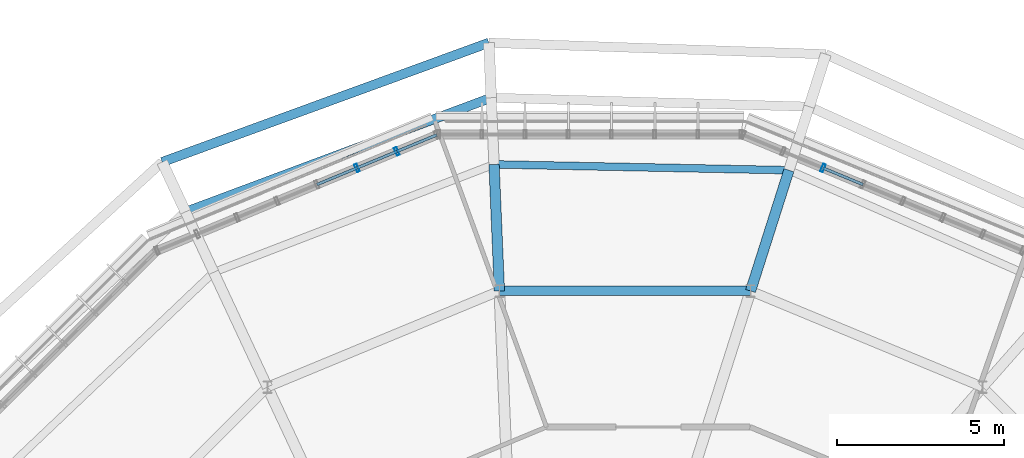
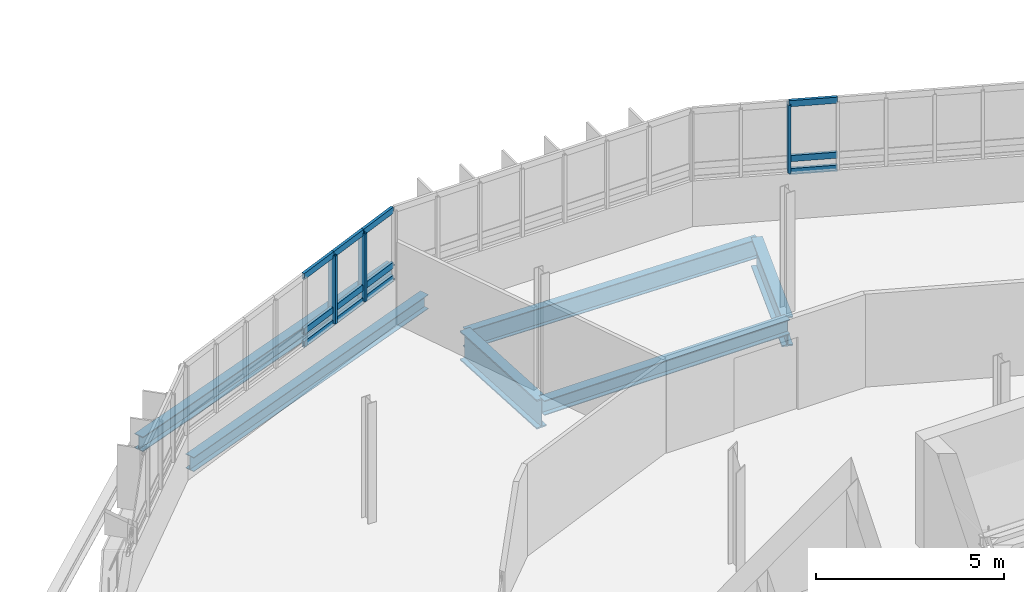
# One storey, part 18 of 38: 15 members, 6 beams, 2 elements without a shape of their own.
"""IFC4 building model written with IfcOpenShell, lengths in metres."""

import ifcopenshell
import ifcopenshell.guid

model = None  # the IFC model being written
_history = None  # IfcOwnerHistory: only IFC2X3 demands one
_inside = {}  # id of a spatial element -> (the spatial element, [elements in it])
_under = {}  # id of a project, library or spatial element -> (it, [spatial elements below it])
_declared = {}  # id of a project -> (the project, [libraries it declares])
_typed = {}  # id of a type object -> (the type object, [elements of that type])
_made_of = {}  # id of a material, layer set ... -> (it, [elements and type objects made of it])


def new_model(schema):
    """Start an empty IFC model of exactly this schema.

    Asked for "IFC4X3", IfcOpenShell would pick the latest addendum, in which some entities
    have other attributes; the version numbers below select the first issue.
    IFC2X3 requires an IfcOwnerHistory on every rooted entity: one is made here for all.
    """
    global model, _history
    if schema == "IFC4X3":
        model = ifcopenshell.file(schema_version=(4, 3, 0, 0))
    else:
        model = ifcopenshell.file(schema=schema)
    _inside.clear()
    _under.clear()
    _declared.clear()
    _typed.clear()
    _made_of.clear()
    _history = None
    if model.schema == "IFC2X3":
        org = make("IfcOrganization", Name="unknown")
        user = make(
            "IfcPersonAndOrganization",
            ThePerson=make("IfcPerson", FamilyName="unknown"),
            TheOrganization=org,
        )
        app = make(
            "IfcApplication",
            ApplicationDeveloper=org,
            Version="unknown",
            ApplicationFullName="unknown",
            ApplicationIdentifier="unknown",
        )
        _history = make(
            "IfcOwnerHistory",
            OwningUser=user,
            OwningApplication=app,
            ChangeAction="ADDED",
            CreationDate=0,
        )
    return model


def make(cls, **values):
    """One entity of the class cls with the attributes given. An attribute that is None is left unset."""
    return model.create_entity(
        cls, **{name: value for name, value in values.items() if value is not None}
    )


def rooted(cls, **values):
    """An entity with a GlobalId (a new one), such as an element, a storey or a relation."""
    return make(cls, GlobalId=ifcopenshell.guid.new(), OwnerHistory=_history, **values)


def si_unit(unit_type, name, prefix=None):
    """IfcSIUnit, for example si_unit("LENGTHUNIT", "METRE", prefix="MILLI")."""
    return make("IfcSIUnit", UnitType=unit_type, Prefix=prefix, Name=name)


def derived_unit(unit_type, elements):
    """IfcDerivedUnit: a product of units, each with its exponent."""
    return make(
        "IfcDerivedUnit",
        Elements=[
            make("IfcDerivedUnitElement", Unit=unit, Exponent=power)
            for unit, power in elements
        ],
        UnitType=unit_type,
    )


def assignment(units):
    """IfcUnitAssignment: the units of a project."""
    return None if units is None else make("IfcUnitAssignment", Units=units)


def point(xyz):
    """IfcCartesianPoint."""
    return None if xyz is None else make("IfcCartesianPoint", Coordinates=xyz)


def direction(xyz):
    """IfcDirection."""
    return None if xyz is None else make("IfcDirection", DirectionRatios=xyz)


def frame(location, z_axis=None, x_axis=None):
    """IfcAxis2Placement3D, a coordinate frame: its origin and axes. An axis left out is left unset."""
    return make(
        "IfcAxis2Placement3D",
        Location=point(location),
        Axis=direction(z_axis),
        RefDirection=direction(x_axis),
    )


def frame_2d(location, x_axis=None):
    """IfcAxis2Placement2D, a coordinate frame in the plane: its origin and x axis."""
    return make(
        "IfcAxis2Placement2D", Location=point(location), RefDirection=direction(x_axis)
    )


def origin():
    """The frame at (0, 0, 0) with its axes left unset."""
    return frame((0.0, 0.0, 0.0))


def origin_2d():
    """The frame at (0, 0) in the plane with its x axis left unset."""
    return frame_2d((0.0, 0.0))


def place(relative_to, where):
    """IfcLocalPlacement: puts the frame where relative to a parent placement (None: the world)."""
    return make(
        "IfcLocalPlacement", PlacementRelTo=relative_to, RelativePlacement=where
    )


def context(
    kind, dimensions, precision=None, world=None, true_north=None, identifier=None
):
    """IfcGeometricRepresentationContext, for example the 3D "Model" context."""
    return make(
        "IfcGeometricRepresentationContext",
        ContextIdentifier=identifier,
        ContextType=kind,
        CoordinateSpaceDimension=dimensions,
        Precision=precision,
        WorldCoordinateSystem=world,
        TrueNorth=true_north,
    )


def subcontext(parent, identifier, kind, view, scale=None):
    """IfcGeometricRepresentationSubContext, for example "Body" below "Model"."""
    return make(
        "IfcGeometricRepresentationSubContext",
        ContextIdentifier=identifier,
        ContextType=kind,
        ParentContext=parent,
        TargetScale=scale,
        TargetView=view,
    )


def project(units=None, contexts=None):
    """IfcProject with its units and contexts."""
    return rooted(
        "IfcProject",
        Name="project",
        RepresentationContexts=contexts,
        UnitsInContext=assignment(units),
    )


def spatial(cls, under=None, at=None, **own):
    """A site, building, storey or space (cls), placed at a placement, below another one or the project."""
    s = rooted(cls, ObjectPlacement=at, **own)
    if under is not None:
        _under.setdefault(under.id(), (under, []))[1].append(s)
    return s


def profile(cls, at=None, kind="AREA", **sizes):
    """A parametric profile (cls). Its sizes go by their IFC names, for example OverallWidth=200.0."""
    return make(cls, ProfileType=kind, Position=at, **sizes)


def hollow_rectangle(**sizes):
    """IfcRectangleHollowProfileDef."""
    return profile("IfcRectangleHollowProfileDef", **sizes)


def i_section(**sizes):
    """IfcIShapeProfileDef."""
    return profile("IfcIShapeProfileDef", **sizes)


def extrude(swept, where, along, depth):
    """IfcExtrudedAreaSolid: the profile swept, set in the frame where, extruded along a direction by depth."""
    return make(
        "IfcExtrudedAreaSolid",
        SweptArea=swept,
        Position=where,
        ExtrudedDirection=direction(along),
        Depth=depth,
    )


def shape(context_of_items, identifier, shape_type, items):
    """IfcShapeRepresentation: the items that make up one representation, for example the "Body"."""
    return make(
        "IfcShapeRepresentation",
        ContextOfItems=context_of_items,
        RepresentationIdentifier=identifier,
        RepresentationType=shape_type,
        Items=items,
    )


def material(Name=None, Category=None):
    """IfcMaterial."""
    return make("IfcMaterial", Name=Name, Category=Category)


def layer(
    of_material, thickness, ventilated=None, Name=None, Category=None, Priority=None
):
    """IfcMaterialLayer: one layer of a wall or slab, of a material (None: an air gap)."""
    return make(
        "IfcMaterialLayer",
        Material=of_material,
        LayerThickness=thickness,
        IsVentilated=ventilated,
        Name=Name,
        Category=Category,
        Priority=Priority,
    )


def layer_set(layers, Name=None):
    """IfcMaterialLayerSet."""
    return make("IfcMaterialLayerSet", MaterialLayers=layers, LayerSetName=Name)


def material_profile(
    of_material, cross_section, Name=None, Category=None, Priority=None
):
    """IfcMaterialProfile: a cross section and its material."""
    return make(
        "IfcMaterialProfile",
        Name=Name,
        Material=of_material,
        Profile=cross_section,
        Priority=Priority,
        Category=Category,
    )


def profile_set(profiles, Name=None, composite=None):
    """IfcMaterialProfileSet."""
    return make(
        "IfcMaterialProfileSet",
        Name=Name,
        MaterialProfiles=profiles,
        CompositeProfile=composite,
    )


def made_of(thing, what):
    """Note that an element or type object is made of a material, layer set ...; save() writes the relation."""
    if what is not None:
        _made_of.setdefault(what.id(), (what, []))[1].append(thing)
    return thing


def type_object(cls, material=None, **own):
    """A type object (cls), such as IfcWallType, which elements share."""
    return made_of(rooted(cls, **own), material)


def element(
    cls,
    number,
    at=None,
    inside=None,
    cuts=None,
    type_object=None,
    material=None,
    context=None,
    identifier="Body",
    shape_type=None,
    held_by="IfcProductDefinitionShape",
    body=None,
    shapes=None,
    **own,
):
    """One element of the class cls, such as IfcWall. Its Tag is "e" and its number.

    at: its placement. inside: the storey or other place that contains it. cuts: it is an
    opening in that element (IfcRelVoidsElement). A single representation is given by context,
    identifier, shape_type and body (its items); several are given by shapes. held_by: the class
    of the entity that holds the representations. save() writes the other relations.
    """
    e = rooted(cls, Tag="e%d" % number, ObjectPlacement=at, **own)
    if body is not None:
        shapes = [shape(context, identifier, shape_type, body)]
    if shapes is not None:
        e.Representation = make(held_by, Representations=shapes)
    if inside is not None:
        _inside.setdefault(inside.id(), (inside, []))[1].append(e)
    if cuts is not None:
        rooted(
            "IfcRelVoidsElement", RelatingBuildingElement=cuts, RelatedOpeningElement=e
        )
    if type_object is not None:
        _typed.setdefault(type_object.id(), (type_object, []))[1].append(e)
    return made_of(e, material)


def aggregate(whole, parts):
    """IfcRelAggregates: a whole, such as a stair, and the parts it consists of."""
    return rooted("IfcRelAggregates", RelatingObject=whole, RelatedObjects=parts)


def save(model, path):
    """Write the relations noted so far, then the file.

    IfcRelAggregates (storeys below a building ...), IfcRelContainedInSpatialStructure (elements
    in a storey), IfcRelDefinesByType, IfcRelAssociatesMaterial and IfcRelDeclares: one each for
    every whole, place, type object, material and project.
    """
    for whole, parts in _under.values():
        aggregate(whole, parts)
    for where, things in _inside.values():
        rooted(
            "IfcRelContainedInSpatialStructure",
            RelatedElements=things,
            RelatingStructure=where,
        )
    for kind, things in _typed.values():
        rooted("IfcRelDefinesByType", RelatedObjects=things, RelatingType=kind)
    for what, things in _made_of.values():
        rooted("IfcRelAssociatesMaterial", RelatedObjects=things, RelatingMaterial=what)
    for by, libraries in _declared.values():
        rooted("IfcRelDeclares", RelatingContext=by, RelatedDefinitions=libraries)
    model.write(path)


model = new_model("IFC4")

# Units and contexts
model_context = context("Model", 3, precision=1e-05, world=origin(), true_north=direction((0.0, 1.0)))
body_context = subcontext(model_context, "Body", "Model", "MODEL_VIEW")
ifc_project = project(units=[si_unit("LENGTHUNIT", "METRE"), si_unit("AREAUNIT", "SQUARE_METRE"), si_unit("VOLUMEUNIT", "CUBIC_METRE"), si_unit("PLANEANGLEUNIT", "RADIAN"), si_unit("MASSUNIT", "GRAM", prefix="KILO"), derived_unit("THERMALTRANSMITTANCEUNIT", [(si_unit("MASSUNIT", "GRAM", prefix="KILO"), 1), (si_unit("TIMEUNIT", "SECOND"), -3), (si_unit("THERMODYNAMICTEMPERATUREUNIT", "KELVIN"), -1)])], contexts=[model_context])

# Site, building, storey
site_placement = place(None, origin())
site = spatial("IfcSite", under=ifc_project, at=site_placement, CompositionType="ELEMENT")
building_placement = place(site_placement, origin())
building = spatial("IfcBuilding", under=site, at=building_placement, Name="Makaiwela Harbour Ferry Terminal", CompositionType="ELEMENT")
storey_placement = place(building_placement, frame((0.0, 0.0, 17.699951171875)))
storey = spatial("IfcBuildingStorey", under=building, at=storey_placement, Name="L04", CompositionType="ELEMENT", Elevation=17.699951171875)

# Curtain wall, member
ifc_material_1 = material(Name="Marine anodised aluminium 6063-T6", Category="aluminium")
ifc_layer = layer(ifc_material_1, 0.199951171875)
ifc_layer_set = layer_set([ifc_layer], Name="Marine anodised aluminium 6063-T6")
curtain_wall_type = type_object("IfcCurtainWallType", Name="ENV-CW-06", PredefinedType="USERDEFINED", material=ifc_layer_set)
curtain_wall_1_placement = place(storey_placement, origin())
curtain_wall_1 = element("IfcCurtainWall", 1, at=curtain_wall_1_placement, inside=storey, type_object=curtain_wall_type, Name="Unitised Curtain Wall CWA-045", ObjectType="UNITIZED CURTAIN WALL", PredefinedType="USERDEFINED")
ifc_material_profile_1 = material_profile(ifc_material_1, hollow_rectangle(XDim=0.0849609375, YDim=0.25, WallThickness=0.0048828125, at=origin_2d()), Name="CWM-250X85")
ifc_profile_set_1 = profile_set([ifc_material_profile_1], Name="Marine anodised aluminium 6063-T6")
member_type_1 = type_object("IfcMemberType", Name="CW-MUL-250", PredefinedType="MULLION", material=ifc_profile_set_1)
member_1_placement = place(storey_placement, frame((43.037109375, 90.71728515625, 1.47998046875), z_axis=(0.0, 0.0, 1.0), x_axis=(-0.923879532511, 0.382683432365, 0.0)))
member_1 = element("IfcMember", 2, at=member_1_placement, type_object=member_type_1, Name="Curtain Wall Mullion CWA-045-6", PredefinedType="MULLION", context=body_context, shape_type="SweptSolid", body=[
    extrude(hollow_rectangle(XDim=0.0849609375, YDim=0.25, WallThickness=0.0048828125, at=origin_2d()), origin(), (0.0, 0.0, 1.0), 2.199951171875),
])

# Curtain wall, members
curtain_wall_2_placement = place(storey_placement, origin())
curtain_wall_2 = element("IfcCurtainWall", 3, at=curtain_wall_2_placement, inside=storey, type_object=curtain_wall_type, Name="Unitised Curtain Wall CWA-047", ObjectType="UNITIZED CURTAIN WALL", PredefinedType="USERDEFINED")
member_2_placement = place(storey_placement, frame((30.260009765625, 91.212890625, 1.47998046875), z_axis=(0.0, 0.0, 1.0), x_axis=(0.923879532511, 0.382683432365, 0.0)))
member_2 = element("IfcMember", 4, at=member_2_placement, type_object=member_type_1, Name="Curtain Wall Mullion CWA-047-2", PredefinedType="MULLION", context=body_context, shape_type="SweptSolid", body=[
    extrude(hollow_rectangle(XDim=0.0849609375, YDim=0.25, WallThickness=0.0048828125, at=origin_2d()), origin(), (0.0, 0.0, 1.0), 2.199951171875),
])
member_3_placement = place(storey_placement, frame((29.06298828125, 90.71728515625, 1.47998046875), z_axis=(0.0, 0.0, 1.0), x_axis=(0.923879532511, 0.382683432365, 0.0)))
member_3 = element("IfcMember", 5, at=member_3_placement, type_object=member_type_1, Name="Curtain Wall Mullion CWA-047-3", PredefinedType="MULLION", context=body_context, shape_type="SweptSolid", body=[
    extrude(hollow_rectangle(XDim=0.0849609375, YDim=0.25, WallThickness=0.0048828125, at=origin_2d()), origin(), (0.0, 0.0, 1.0), 2.199951171875),
])

# Member
ifc_material_profile_2 = material_profile(ifc_material_1, hollow_rectangle(XDim=0.0849609375, YDim=0.199951171875, WallThickness=0.0048828125, at=origin_2d()), Name="CWT-200X85")
ifc_profile_set_2 = profile_set([ifc_material_profile_2], Name="Marine anodised aluminium 6063-T6")
member_type_2 = type_object("IfcMemberType", Name="CW-TRN-200", PredefinedType="USERDEFINED", material=ifc_profile_set_2)
member_4_placement = place(storey_placement, frame((44.234130859375, 90.22119140625, 1.47998046875), z_axis=(-0.92380551211, 0.382862084562, 0.0), x_axis=(-0.382862084562, -0.92380551211, 0.0)))
member_4 = element("IfcMember", 6, at=member_4_placement, type_object=member_type_2, Name="Curtain Wall Transom CWA-045-5-1", ObjectType="TRANSOM", PredefinedType="USERDEFINED", context=body_context, shape_type="SweptSolid", body=[
    extrude(hollow_rectangle(XDim=0.0849609375, YDim=0.199951171875, WallThickness=0.0048828125, at=origin_2d()), origin(), (0.0, 0.0, 1.0), 1.295654296875),
])

member_5_placement = place(storey_placement, frame((44.234130859375, 90.22119140625, 1.900146484375), z_axis=(-0.92380551211, 0.382862084562, 0.0), x_axis=(-0.382862084562, -0.92380551211, 0.0)))
member_5 = element("IfcMember", 7, at=member_5_placement, type_object=member_type_2, Name="Curtain Wall Transom CWA-045-5-2", ObjectType="TRANSOM", PredefinedType="USERDEFINED", context=body_context, shape_type="SweptSolid", body=[
    extrude(hollow_rectangle(XDim=0.0849609375, YDim=0.199951171875, WallThickness=0.0048828125, at=origin_2d()), origin(), (0.0, 0.0, 1.0), 1.295654296875),
])

member_6_placement = place(storey_placement, frame((44.234130859375, 90.22119140625, 3.679931640625), z_axis=(-0.92380551211, 0.382862084562, 0.0), x_axis=(-0.382862084562, -0.92380551211, 0.0)))
member_6 = element("IfcMember", 8, at=member_6_placement, type_object=member_type_2, Name="Curtain Wall Transom CWA-045-5-3", ObjectType="TRANSOM", PredefinedType="USERDEFINED", context=body_context, shape_type="SweptSolid", body=[
    extrude(hollow_rectangle(XDim=0.0849609375, YDim=0.199951171875, WallThickness=0.0048828125, at=origin_2d()), origin(), (0.0, 0.0, 1.0), 1.295654296875),
])

aggregate(curtain_wall_1, [member_1, member_4, member_5, member_6])

member_7_placement = place(storey_placement, frame((31.457275390625, 91.708984375, 1.47998046875), z_axis=(-0.92383312361, -0.382795454155, 0.0), x_axis=(0.382795454155, -0.92383312361, 0.0)))
member_7 = element("IfcMember", 9, at=member_7_placement, type_object=member_type_2, Name="Curtain Wall Transom CWA-047-1-1", ObjectType="TRANSOM", PredefinedType="USERDEFINED", context=body_context, shape_type="SweptSolid", body=[
    extrude(hollow_rectangle(XDim=0.0849609375, YDim=0.199951171875, WallThickness=0.0048828125, at=origin_2d()), origin(), (0.0, 0.0, 1.0), 1.2958984375),
])

member_8_placement = place(storey_placement, frame((31.457275390625, 91.708984375, 1.900146484375), z_axis=(-0.92383312361, -0.382795454155, 0.0), x_axis=(0.382795454155, -0.92383312361, 0.0)))
member_8 = element("IfcMember", 10, at=member_8_placement, type_object=member_type_2, Name="Curtain Wall Transom CWA-047-1-2", ObjectType="TRANSOM", PredefinedType="USERDEFINED", context=body_context, shape_type="SweptSolid", body=[
    extrude(hollow_rectangle(XDim=0.0849609375, YDim=0.199951171875, WallThickness=0.0048828125, at=origin_2d()), origin(), (0.0, 0.0, 1.0), 1.2958984375),
])

member_9_placement = place(storey_placement, frame((31.457275390625, 91.708984375, 3.679931640625), z_axis=(-0.92383312361, -0.382795454155, 0.0), x_axis=(0.382795454155, -0.92383312361, 0.0)))
member_9 = element("IfcMember", 11, at=member_9_placement, type_object=member_type_2, Name="Curtain Wall Transom CWA-047-1-3", ObjectType="TRANSOM", PredefinedType="USERDEFINED", context=body_context, shape_type="SweptSolid", body=[
    extrude(hollow_rectangle(XDim=0.0849609375, YDim=0.199951171875, WallThickness=0.0048828125, at=origin_2d()), origin(), (0.0, 0.0, 1.0), 1.2958984375),
])

member_10_placement = place(storey_placement, frame((30.260009765625, 91.212890625, 1.47998046875), z_axis=(-0.923938757359, -0.382540419629, 0.0), x_axis=(0.382540419629, -0.923938757359, 0.0)))
member_10 = element("IfcMember", 12, at=member_10_placement, type_object=member_type_2, Name="Curtain Wall Transom CWA-047-2-1", ObjectType="TRANSOM", PredefinedType="USERDEFINED", context=body_context, shape_type="SweptSolid", body=[
    extrude(hollow_rectangle(XDim=0.0849609375, YDim=0.199951171875, WallThickness=0.0048828125, at=origin_2d()), origin(), (0.0, 0.0, 1.0), 1.295654296875),
])

member_11_placement = place(storey_placement, frame((30.260009765625, 91.212890625, 1.900146484375), z_axis=(-0.923938757359, -0.382540419629, 0.0), x_axis=(0.382540419629, -0.923938757359, 0.0)))
member_11 = element("IfcMember", 13, at=member_11_placement, type_object=member_type_2, Name="Curtain Wall Transom CWA-047-2-2", ObjectType="TRANSOM", PredefinedType="USERDEFINED", context=body_context, shape_type="SweptSolid", body=[
    extrude(hollow_rectangle(XDim=0.0849609375, YDim=0.199951171875, WallThickness=0.0048828125, at=origin_2d()), origin(), (0.0, 0.0, 1.0), 1.295654296875),
])

member_12_placement = place(storey_placement, frame((30.260009765625, 91.212890625, 3.679931640625), z_axis=(-0.923938757359, -0.382540419629, 0.0), x_axis=(0.382540419629, -0.923938757359, 0.0)))
member_12 = element("IfcMember", 14, at=member_12_placement, type_object=member_type_2, Name="Curtain Wall Transom CWA-047-2-3", ObjectType="TRANSOM", PredefinedType="USERDEFINED", context=body_context, shape_type="SweptSolid", body=[
    extrude(hollow_rectangle(XDim=0.0849609375, YDim=0.199951171875, WallThickness=0.0048828125, at=origin_2d()), origin(), (0.0, 0.0, 1.0), 1.295654296875),
])

member_13_placement = place(storey_placement, frame((29.06298828125, 90.71728515625, 1.47998046875), z_axis=(-0.92380551211, -0.382862084562, 0.0), x_axis=(0.382862084562, -0.92380551211, 0.0)))
member_13 = element("IfcMember", 15, at=member_13_placement, type_object=member_type_2, Name="Curtain Wall Transom CWA-047-3-1", ObjectType="TRANSOM", PredefinedType="USERDEFINED", context=body_context, shape_type="SweptSolid", body=[
    extrude(hollow_rectangle(XDim=0.0849609375, YDim=0.199951171875, WallThickness=0.0048828125, at=origin_2d()), origin(), (0.0, 0.0, 1.0), 1.295654296875),
])

member_14_placement = place(storey_placement, frame((29.06298828125, 90.71728515625, 1.900146484375), z_axis=(-0.92380551211, -0.382862084562, 0.0), x_axis=(0.382862084562, -0.92380551211, 0.0)))
member_14 = element("IfcMember", 16, at=member_14_placement, type_object=member_type_2, Name="Curtain Wall Transom CWA-047-3-2", ObjectType="TRANSOM", PredefinedType="USERDEFINED", context=body_context, shape_type="SweptSolid", body=[
    extrude(hollow_rectangle(XDim=0.0849609375, YDim=0.199951171875, WallThickness=0.0048828125, at=origin_2d()), origin(), (0.0, 0.0, 1.0), 1.295654296875),
])

member_15_placement = place(storey_placement, frame((29.06298828125, 90.71728515625, 3.679931640625), z_axis=(-0.92380551211, -0.382862084562, 0.0), x_axis=(0.382862084562, -0.92380551211, 0.0)))
member_15 = element("IfcMember", 17, at=member_15_placement, type_object=member_type_2, Name="Curtain Wall Transom CWA-047-3-3", ObjectType="TRANSOM", PredefinedType="USERDEFINED", context=body_context, shape_type="SweptSolid", body=[
    extrude(hollow_rectangle(XDim=0.0849609375, YDim=0.199951171875, WallThickness=0.0048828125, at=origin_2d()), origin(), (0.0, 0.0, 1.0), 1.295654296875),
])

aggregate(curtain_wall_2, [member_2, member_3, member_7, member_8, member_9, member_10, member_11, member_12, member_13, member_14, member_15])

# Beams
ifc_material_2 = material(Name="Steel ASTM A992 Grade 50", Category="steel")
ifc_material_profile_3 = material_profile(ifc_material_2, i_section(OverallWidth=0.280029296875, OverallDepth=0.462890625, WebThickness=0.0107421875, FlangeThickness=0.017333984375, at=origin_2d()), Name="W18X76")
ifc_profile_set_3 = profile_set([ifc_material_profile_3], Name="Steel ASTM A992 Grade 50")
beam_type_1 = type_object("IfcBeamType", Name="STR-BM-W18X76", PredefinedType="BEAM", material=ifc_profile_set_3)
beam_1_placement = place(storey_placement, frame((33.089111328125, 92.823974609375, -0.486572265625), z_axis=(-0.936858190417, -0.349709495222, 0.0), x_axis=(0.349709495222, -0.936858190417, 0.0)))
element("IfcBeam", 18, at=beam_1_placement, inside=storey, type_object=beam_type_1, Name="Drum stage2 tie girder 462", PredefinedType="BEAM", context=body_context, shape_type="SweptSolid", body=[
    extrude(i_section(OverallWidth=0.280029296875, OverallDepth=0.462890625, WebThickness=0.0107421875, FlangeThickness=0.017333984375, at=origin_2d()), origin(), (0.0, 0.0, 1.0), 9.78564453125),
])
ifc_material_profile_4 = material_profile(ifc_material_2, i_section(OverallWidth=0.22900390625, OverallDepth=0.612060546875, WebThickness=0.011962890625, FlangeThickness=0.01953125, at=origin_2d()), Name="W24X84")
ifc_profile_set_4 = profile_set([ifc_material_profile_4], Name="Steel ASTM A992 Grade 50")
beam_type_2 = type_object("IfcBeamType", Name="STR-GRD-W24X84", PredefinedType="USERDEFINED", material=ifc_profile_set_4)
beam_2_placement = place(storey_placement, frame((42.01708984375, 90.650390625, -0.56103515625), z_axis=(-0.999803608761, 0.019817767471, 0.0), x_axis=(-0.019817767471, -0.999803608761, 0.0)))
element("IfcBeam", 19, at=beam_2_placement, inside=storey, type_object=beam_type_2, Name="Drum overhang tie girder 459", ObjectType="GIRDER", PredefinedType="USERDEFINED", context=body_context, shape_type="SweptSolid", body=[
    extrude(i_section(OverallWidth=0.22900390625, OverallDepth=0.612060546875, WebThickness=0.011962890625, FlangeThickness=0.01953125, at=origin_2d()), origin(), (0.0, 0.0, 1.0), 8.84521484375),
])
ifc_material_profile_5 = material_profile(ifc_material_2, i_section(OverallWidth=0.31005859375, OverallDepth=0.949951171875, WebThickness=0.0244140625, FlangeThickness=0.0439453125, at=origin_2d()), Name="W36X256")
ifc_profile_set_5 = profile_set([ifc_material_profile_5], Name="Steel ASTM A992 Grade 50")
beam_type_3 = type_object("IfcBeamType", Name="STR-GRD-W36X256", PredefinedType="USERDEFINED", material=ifc_profile_set_5)
for number, where, z_axis, x_axis, name in (
    (20, (40.865234375, 87.029296875, -0.72998046875), (0.303129401711, 0.952949403598, 0.0), (-0.952949403598, 0.303129401711, 0.0), "Drum radial overhang 409"),
    (21, (33.334716796875, 87.029296875, -0.72998046875), (-0.042405550922, 0.999100480057, 0.0), (-0.999100480057, -0.042405550922, 0.0), "Drum radial overhang 413"),
):
    element("IfcBeam", number, at=place(storey_placement, frame(where, z_axis=z_axis, x_axis=x_axis)), inside=storey, type_object=beam_type_3, Name=name, ObjectType="GIRDER", PredefinedType="USERDEFINED", context=body_context, shape_type="SweptSolid", body=[
        extrude(i_section(OverallWidth=0.31005859375, OverallDepth=0.949951171875, WebThickness=0.0244140625, FlangeThickness=0.0439453125, at=origin_2d()), origin(), (0.0, 0.0, 1.0), 3.7998046875),
    ])
ifc_material_profile_6 = material_profile(ifc_material_2, i_section(OverallWidth=0.283935546875, OverallDepth=0.47607421875, WebThickness=0.014892578125, FlangeThickness=0.02392578125, at=origin_2d()), Name="W18X106")
ifc_profile_set_6 = profile_set([ifc_material_profile_6], Name="Steel ASTM A992 Grade 50")
beam_type_4 = type_object("IfcBeamType", Name="STR-SPN-W18X106", PredefinedType="SPANDREL", material=ifc_profile_set_6)
beam_3_placement = place(storey_placement, frame((40.865234375, 87.029296875, -0.492919921875), z_axis=(-1.0, 0.0, 0.0), x_axis=(0.0, -1.0, 0.0)))
element("IfcBeam", 22, at=beam_3_placement, inside=storey, type_object=beam_type_4, Name="Drum column ring girder 384", PredefinedType="SPANDREL", context=body_context, shape_type="SweptSolid", body=[
    extrude(i_section(OverallWidth=0.283935546875, OverallDepth=0.47607421875, WebThickness=0.014892578125, FlangeThickness=0.02392578125, at=origin_2d()), origin(), (0.0, 0.0, 1.0), 7.530517578125),
])
beam_4_placement = place(storey_placement, frame((33.01904296875, 94.472412109375, -0.492919921875), z_axis=(-0.939370966018, -0.342902592879, 0.0), x_axis=(0.342902592879, -0.939370966018, 0.0)))
element("IfcBeam", 23, at=beam_4_placement, inside=storey, type_object=beam_type_4, Name="Drum perimeter spandrel 484", PredefinedType="SPANDREL", context=body_context, shape_type="SweptSolid", body=[
    extrude(i_section(OverallWidth=0.283935546875, OverallDepth=0.47607421875, WebThickness=0.014892578125, FlangeThickness=0.02392578125, at=origin_2d()), origin(), (0.0, 0.0, 1.0), 10.428466796875),
])

save(model, "model.ifc")
